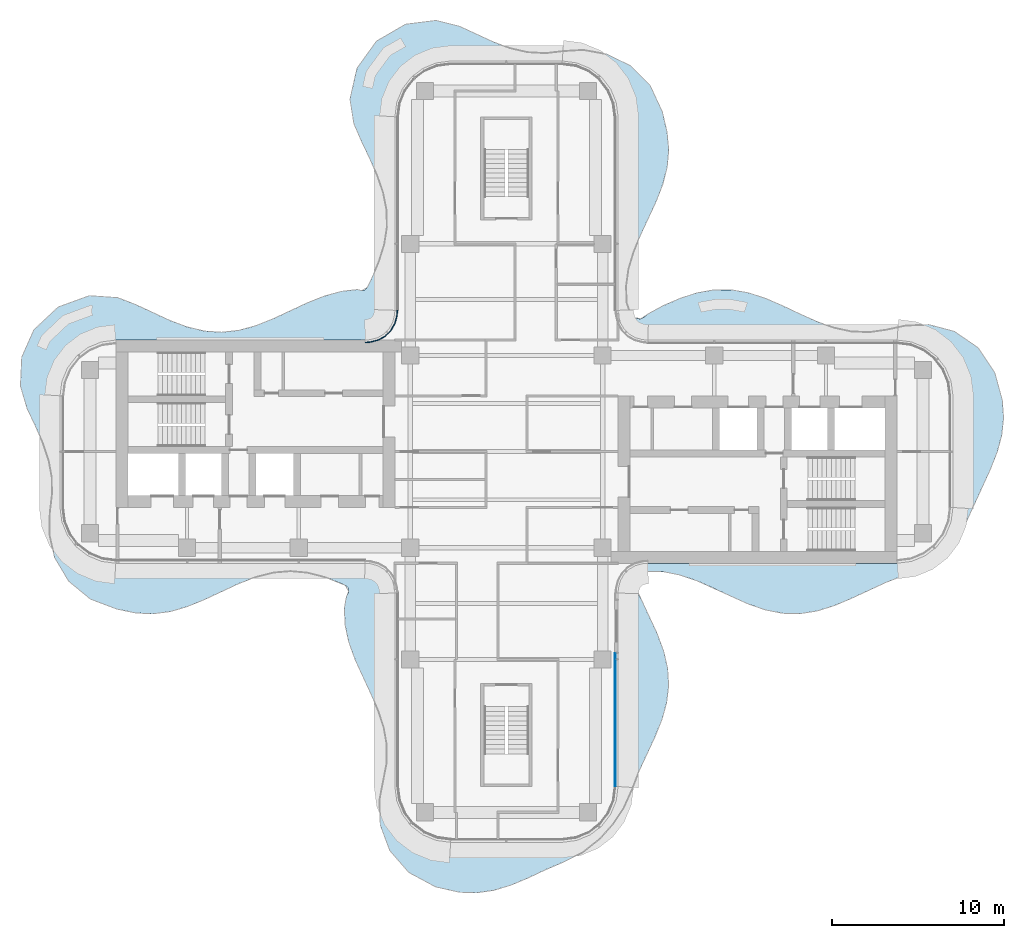
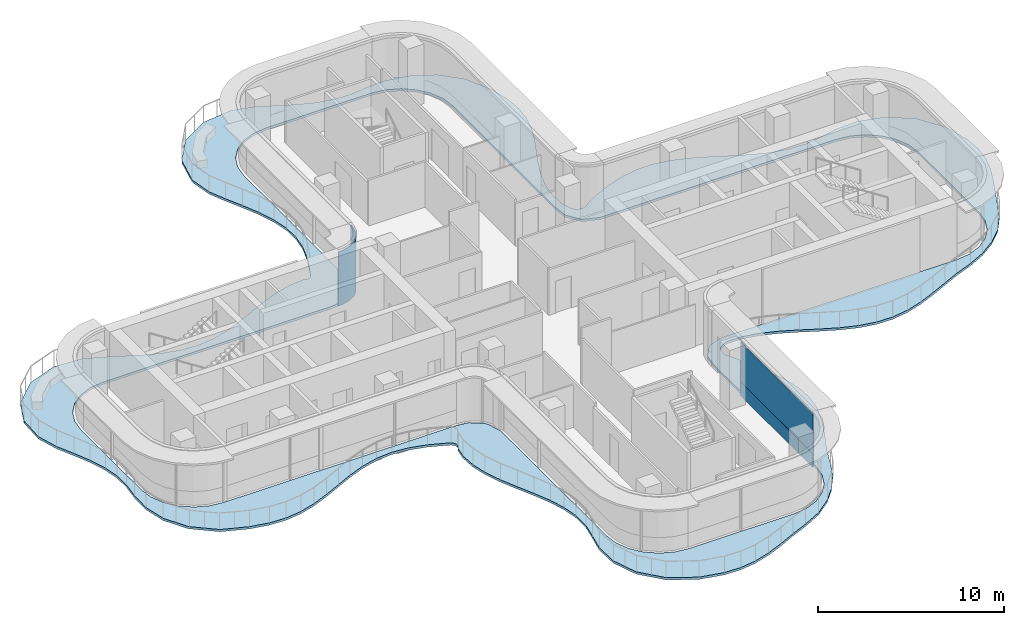
# One storey, part 9 of 17: 3 plates, 1 slab, 2 elements without a shape of their own.
"""IFC4 building model written with IfcOpenShell, lengths in metres."""

from ifc_helpers import new_model, si_unit, direction, frame, origin, place, context, subcontext, project, spatial, polyline, outline, extrude, source, transform, mapped, material, layer, layer_set, type_object, element, aggregate, save


model = new_model("IFC4")

# Units and contexts
model_context = context("Model", 3, precision=1e-05, world=origin(), true_north=direction((0.0, 1.0)))
body_context = subcontext(model_context, "Body", "Model", "MODEL_VIEW")
ifc_project = project(units=[si_unit("LENGTHUNIT", "METRE"), si_unit("AREAUNIT", "SQUARE_METRE"), si_unit("VOLUMEUNIT", "CUBIC_METRE"), si_unit("PLANEANGLEUNIT", "RADIAN"), si_unit("MASSUNIT", "GRAM", prefix="KILO")], contexts=[model_context])

# Site, building, storey
site_placement = place(None, origin())
site = spatial("IfcSite", under=ifc_project, at=site_placement, CompositionType="ELEMENT")
building_placement = place(site_placement, origin())
building = spatial("IfcBuilding", under=site, at=building_placement, Name="Trellis Farm Tower", CompositionType="ELEMENT")
storey_placement = place(building_placement, frame((0.0, 0.0, 283.300048828125)))
storey = spatial("IfcBuildingStorey", under=building, at=storey_placement, Name="L63", CompositionType="ELEMENT", Elevation=283.300048828125)

# Slab
ifc_material_1 = material(Name="Concrete C40/50", Category="concrete")
ifc_layer_1 = layer(ifc_material_1, 0.14990234375)
ifc_layer_set_1 = layer_set([ifc_layer_1], Name="Balcony slab 150")
slab_type = type_object("IfcSlabType", Name="Balcony slab 150", PredefinedType="FLOOR", material=ifc_layer_set_1)
slab_placement = place(storey_placement, frame((0.0, 0.0, -0.150146484375)))
element("IfcSlab", 1, at=slab_placement, inside=storey, type_object=slab_type, Name="Balcony slab", PredefinedType="FLOOR", context=body_context, shape_type="SweptSolid", body=[
    extrude(outline(polyline([(-26.59765625, -3.57177734375), (-26.46875, -2.4794921875), (-26.46826171875, -2.469482421875), (-26.483642578125, -1.474853515625), (-26.48486328125, -1.46240234375), (-26.658935546875, -0.52880859375), (-26.66162109375, -0.518798828125), (-27.0048828125, 0.510498046875), (-27.00732421875, 0.5166015625), (-27.43359375, 1.492431640625), (-27.4345703125, 1.494384765625), (-27.909423828125, 2.49951171875), (-27.91748046875, 2.520263671875), (-28.297119140625, 3.780517578125), (-28.30322265625, 3.829833984375), (-28.237548828125, 5.4462890625), (-28.23388671875, 5.47412109375), (-28.2255859375, 5.509521484375), (-28.216796875, 5.535888671875), (-27.55908203125, 7.034912109375), (-27.54443359375, 7.06103515625), (-27.522216796875, 7.092529296875), (-27.502685546875, 7.115234375), (-26.164794921875, 8.3828125), (-26.140625, 8.401123046875), (-26.107421875, 8.421875), (-26.080078125, 8.435302734375), (-24.361083984375, 9.06884765625), (-24.330810546875, 9.076416015625), (-24.29150390625, 9.082275390625), (-24.259765625, 9.08349609375), (-22.6767578125, 8.977783203125), (-22.6328125, 8.968017578125), (-21.598388671875, 8.56787109375), (-21.58935546875, 8.56396484375), (-19.614990234375, 7.646484375), (-19.60986328125, 7.644287109375), (-18.626953125, 7.2734375), (-18.617919921875, 7.2705078125), (-17.58056640625, 7.022216796875), (-17.568115234375, 7.020263671875), (-16.57958984375, 6.954833984375), (-16.56640625, 6.955078125), (-15.584228515625, 7.06591796875), (-15.57275390625, 7.068115234375), (-14.591796875, 7.337890625), (-14.583984375, 7.34033203125), (-13.60009765625, 7.732666015625), (-13.59619140625, 7.734375), (-11.6083984375, 8.660888671875), (-11.6005859375, 8.6640625), (-10.6083984375, 9.06005859375), (-10.59228515625, 9.0654296875), (-9.6083984375, 9.3349609375), (-9.585693359375, 9.33935546875), (-8.68603515625, 9.440185546875), (-8.625, 9.434326171875), (-8.4453125, 9.378662109375), (-8.405029296875, 9.377685546875), (-8.251220703125, 9.4169921875), (-8.21484375, 9.43896484375), (-8.101806640625, 9.564453125), (-8.089599609375, 9.58251953125), (-7.83935546875, 10.11279296875), (-7.838134765625, 10.11572265625), (-7.429443359375, 11.0869140625), (-7.427001953125, 11.093994140625), (-7.122314453125, 12.0751953125), (-7.119873046875, 12.0859375), (-6.967041015625, 13.067138671875), (-6.966064453125, 13.080322265625), (-6.987060546875, 14.06689453125), (-6.988525390625, 14.07958984375), (-7.18359375, 15.07421875), (-7.186279296875, 15.084228515625), (-7.530517578125, 16.0849609375), (-7.53271484375, 16.0908203125), (-7.9765625, 17.095703125), (-7.977294921875, 17.097412109375), (-8.453369140625, 18.10009765625), (-8.455078125, 18.104248046875), (-8.874755859375, 19.0615234375), (-8.88525390625, 19.096923828125), (-9.112060546875, 20.458984375), (-9.114013671875, 20.48828125), (-9.11279296875, 20.525390625), (-9.109130859375, 20.553955078125), (-8.7041015625, 22.330078125), (-8.6943359375, 22.359130859375), (-8.677734375, 22.395263671875), (-8.662109375, 22.421875), (-7.56689453125, 23.906982421875), (-7.5458984375, 23.93017578125), (-7.515625, 23.956787109375), (-7.490234375, 23.97509765625), (-5.901123046875, 24.87890625), (-5.873779296875, 24.89111328125), (-5.837158203125, 24.903076171875), (-5.80810546875, 24.90966796875), (-4.108642578125, 25.11181640625), (-4.080810546875, 25.112548828125), (-4.044921875, 25.110107421875), (-4.01708984375, 25.10546875), (-2.745361328125, 24.773193359375), (-2.72021484375, 24.764404296875), (-0.763916015625, 23.8583984375), (-0.75830078125, 23.856201171875), (0.224365234375, 23.4951171875), (0.2333984375, 23.492431640625), (1.2138671875, 23.266845703125), (1.2265625, 23.264892578125), (2.271484375, 23.207275390625), (2.284423828125, 23.207763671875), (3.28515625, 23.326171875), (3.293701171875, 23.326904296875), (4.464599609375, 23.398193359375), (4.500732421875, 23.39599609375), (5.84033203125, 23.14892578125), (5.879150390625, 23.13623046875), (7.198486328125, 22.49072265625), (7.238037109375, 22.462646484375), (8.313720703125, 21.3994140625), (8.3310546875, 21.37939453125), (8.3505859375, 21.351318359375), (8.3642578125, 21.327880859375), (9.06640625, 19.81884765625), (9.07666015625, 19.78955078125), (9.348876953125, 18.620361328125), (9.35205078125, 18.6005859375), (9.447265625, 17.59814453125), (9.447509765625, 17.571044921875), (9.363525390625, 16.599609375), (9.359619140625, 16.575439453125), (9.112548828125, 15.60107421875), (9.107177734375, 15.583984375), (8.72998046875, 14.602783203125), (8.725830078125, 14.59326171875), (7.8046875, 12.614013671875), (7.80322265625, 12.611083984375), (7.396240234375, 11.626220703125), (7.3935546875, 11.619140625), (7.101318359375, 10.637939453125), (7.09912109375, 10.626953125), (6.96142578125, 9.6455078125), (6.960693359375, 9.632080078125), (6.99658203125, 8.670654296875), (6.998291015625, 8.658447265625), (7.017822265625, 8.562255859375), (7.02099609375, 8.55078125), (7.218017578125, 8.027587890625), (7.2255859375, 8.0126953125), (7.298095703125, 7.9033203125), (7.322021484375, 7.880615234375), (7.434814453125, 7.813720703125), (7.4501953125, 7.806884765625), (7.63427734375, 7.748291015625), (7.652099609375, 7.744873046875), (7.7919921875, 7.7353515625), (7.82666015625, 7.741455078125), (7.955078125, 7.79833984375), (7.97021484375, 7.80712890625), (8.2529296875, 8.02294921875), (8.27197265625, 8.03515625), (9.11279296875, 8.495361328125), (9.125244140625, 8.50146484375), (10.0966796875, 8.9208984375), (10.109619140625, 8.92578125), (11.08740234375, 9.24609375), (11.108154296875, 9.25146484375), (12.08056640625, 9.42333984375), (12.1064453125, 9.42578125), (13.0791015625, 9.42626953125), (13.105224609375, 9.424072265625), (14.083984375, 9.251708984375), (14.1044921875, 9.246337890625), (15.091796875, 8.922607421875), (15.1044921875, 8.917724609375), (16.099609375, 8.4873046875), (16.104248046875, 8.485107421875), (17.106689453125, 8.009765625), (17.108154296875, 8.0087890625), (18.11328125, 7.560546875), (18.11865234375, 7.55859375), (19.075439453125, 7.21826171875), (19.084716796875, 7.215576171875), (20.065185546875, 7.00390625), (20.078125, 7.00244140625), (21.124267578125, 6.9619140625), (21.1376953125, 6.962646484375), (22.109619140625, 7.099853515625), (22.114990234375, 7.100830078125), (23.214111328125, 7.3408203125), (23.239501953125, 7.34423828125), (24.55615234375, 7.40185546875), (24.6005859375, 7.397216796875), (26.03564453125, 7.023193359375), (26.081787109375, 7.002197265625), (27.41064453125, 6.101806640625), (27.43310546875, 6.083251953125), (27.459716796875, 6.056396484375), (27.47802734375, 6.033935546875), (28.43310546875, 4.598388671875), (28.452880859375, 4.554443359375), (28.8671875, 3.0244140625), (28.8720703125, 2.99658203125), (28.947265625, 1.995849609375), (28.94677734375, 1.969482421875), (28.84716796875, 0.997314453125), (28.843017578125, 0.97412109375), (28.588623046875, 0.01806640625), (28.583251953125, 0.001708984375), (28.190185546875, -1.0), (28.18701171875, -1.007568359375), (26.749755859375, -4.147705078125), (26.737060546875, -4.170166015625), (26.0439453125, -5.1826171875), (26.02392578125, -5.2060546875), (25.198974609375, -5.9990234375), (25.181396484375, -6.013427734375), (24.2685546875, -6.656982421875), (24.24853515625, -6.6689453125), (23.205322265625, -7.1845703125), (23.19287109375, -7.18994140625), (22.092041015625, -7.61474609375), (22.08740234375, -7.61669921875), (20.1064453125, -8.534912109375), (20.101806640625, -8.536865234375), (19.1005859375, -8.961181640625), (19.0869140625, -8.96630859375), (18.1005859375, -9.27490234375), (18.0791015625, -9.27978515625), (17.101318359375, -9.433349609375), (17.074951171875, -9.43505859375), (16.102783203125, -9.41455078125), (16.0771484375, -9.41162109375), (15.1044921875, -9.22119140625), (15.084716796875, -9.216064453125), (14.105712890625, -8.881103515625), (14.093994140625, -8.87646484375), (13.11181640625, -8.4443359375), (13.10791015625, -8.442626953125), (12.11376953125, -7.970703125), (12.112060546875, -7.9697265625), (11.1259765625, -7.5341796875), (11.119873046875, -7.531982421875), (10.091796875, -7.179931640625), (10.08203125, -7.177490234375), (9.148193359375, -6.99267578125), (9.135498046875, -6.9912109375), (8.262939453125, -6.970703125), (8.2421875, -6.97314453125), (8.07958984375, -7.015625), (8.060791015625, -7.0234375), (7.70751953125, -7.22998046875), (7.693603515625, -7.240478515625), (7.595458984375, -7.33447265625), (7.576904296875, -7.36328125), (7.531494140625, -7.4912109375), (7.527587890625, -7.50830078125), (7.495361328125, -7.8125), (7.496337890625, -7.8349609375), (7.53271484375, -8.017578125), (7.54052734375, -8.038818359375), (7.851806640625, -8.609130859375), (7.8564453125, -8.617919921875), (8.77392578125, -10.595703125), (8.778564453125, -10.606689453125), (9.1494140625, -11.607666015625), (9.15478515625, -11.6259765625), (9.382568359375, -12.607421875), (9.385986328125, -12.632080078125), (9.4453125, -13.606201171875), (9.444580078125, -13.633056640625), (9.32958984375, -14.604736328125), (9.324951171875, -14.627685546875), (9.05126953125, -15.603271484375), (9.0458984375, -15.61865234375), (8.650146484375, -16.601806640625), (8.64697265625, -16.609130859375), (7.725341796875, -18.586181640625), (7.723388671875, -18.5908203125), (7.307373046875, -19.669677734375), (7.30419921875, -19.67724609375), (6.822021484375, -20.74755859375), (6.810302734375, -20.76904296875), (6.19140625, -21.697265625), (6.1787109375, -21.714111328125), (5.449951171875, -22.530517578125), (5.431396484375, -22.548095703125), (4.470947265625, -23.31201171875), (4.4453125, -23.328369140625), (3.33056640625, -23.892822265625), (3.322021484375, -23.89697265625), (2.2548828125, -24.35498046875), (2.25244140625, -24.35595703125), (1.248291015625, -24.8291015625), (1.241943359375, -24.831787109375), (0.248291015625, -25.2451171875), (0.23388671875, -25.25048828125), (-0.751708984375, -25.546142578125), (-0.7734375, -25.551025390625), (-1.719970703125, -25.687255859375), (-1.74609375, -25.688720703125), (-2.71728515625, -25.657470703125), (-2.7451171875, -25.654052734375), (-4.095458984375, -25.35302734375), (-4.13330078125, -25.339111328125), (-5.6376953125, -24.53955078125), (-5.66064453125, -24.5244140625), (-5.688720703125, -24.502197265625), (-5.70849609375, -24.483154296875), (-6.790771484375, -23.23681640625), (-6.806884765625, -23.21435546875), (-6.824951171875, -23.18359375), (-6.836669921875, -23.158447265625), (-7.349609375, -21.739990234375), (-7.358642578125, -21.693359375), (-7.400390625, -20.28125), (-7.3974609375, -20.24609375), (-7.15771484375, -19.0947265625), (-7.1572265625, -19.093017578125), (-6.982666015625, -18.13623046875), (-6.9814453125, -18.123291015625), (-6.97509765625, -17.076904296875), (-6.97607421875, -17.063720703125), (-7.147705078125, -16.0830078125), (-7.150146484375, -16.07275390625), (-7.458251953125, -15.121337890625), (-7.460693359375, -15.114990234375), (-7.890869140625, -14.110595703125), (-7.89208984375, -14.108154296875), (-8.36767578125, -13.104248046875), (-8.368896484375, -13.1015625), (-8.81201171875, -12.11669921875), (-8.81640625, -12.106201171875), (-9.177001953125, -11.1044921875), (-9.182373046875, -11.085693359375), (-9.3916015625, -10.134033203125), (-9.39501953125, -10.109375), (-9.443115234375, -9.145263671875), (-9.44091796875, -9.111572265625), (-9.324462890625, -8.45263671875), (-9.303466796875, -8.3984375), (-9.242919921875, -8.302978515625), (-9.234619140625, -8.28466796875), (-9.186279296875, -8.125732421875), (-9.185791015625, -8.084228515625), (-9.228515625, -7.935546875), (-9.250732421875, -7.900390625), (-9.375244140625, -7.79150390625), (-9.393310546875, -7.77978515625), (-9.619140625, -7.67626953125), (-9.623291015625, -7.674560546875), (-10.58642578125, -7.302490234375), (-10.5947265625, -7.2998046875), (-11.57568359375, -7.046630859375), (-11.58740234375, -7.04443359375), (-12.570068359375, -6.953369140625), (-12.583251953125, -6.953369140625), (-13.57275390625, -7.038818359375), (-13.584716796875, -7.041015625), (-14.581787109375, -7.294677734375), (-14.590576171875, -7.29736328125), (-15.5927734375, -7.684326171875), (-15.597412109375, -7.686279296875), (-17.595947265625, -8.61669921875), (-17.6025390625, -8.61962890625), (-18.60400390625, -9.0283203125), (-18.618896484375, -9.033447265625), (-19.577392578125, -9.310791015625), (-19.599853515625, -9.3154296875), (-20.57177734375, -9.44189453125), (-20.598388671875, -9.443115234375), (-21.574462890625, -9.3955078125), (-21.59765625, -9.392578125), (-22.685791015625, -9.16748046875), (-22.7080078125, -9.1611328125), (-24.186279296875, -8.608642578125), (-24.22900390625, -8.583984375), (-25.491943359375, -7.544921875), (-25.510498046875, -7.526611328125), (-25.532958984375, -7.50048828125), (-25.548095703125, -7.479248046875), (-26.302490234375, -6.196044921875), (-26.319580078125, -6.152587890625), (-26.615966796875, -4.82080078125), (-26.619384765625, -4.78564453125), (-26.5986328125, -3.586669921875), (-26.59765625, -3.57177734375)]), holes=[polyline([(-6.82470703125, 7.20947265625), (-6.8583984375, 7.1640625), (-6.89111328125, 7.1318359375), (-7.57177734375, 6.643310546875), (-7.605712890625, 6.625), (-7.6513671875, 6.607666015625), (-7.68896484375, 6.5986328125), (-8.61328125, 6.500732421875), (-8.61767578125, 6.50048828125), (-22.75, 6.50048828125), (-23.59130859375, 6.389892578125), (-24.375244140625, 6.065185546875), (-25.048583984375, 5.548583984375), (-25.565185546875, 4.875244140625), (-25.889892578125, 4.09130859375), (-26.00048828125, 3.25), (-26.00048828125, -3.25), (-25.889892578125, -4.09130859375), (-25.565185546875, -4.875244140625), (-25.048583984375, -5.548583984375), (-24.375244140625, -6.065185546875), (-23.59130859375, -6.389892578125), (-22.75, -6.50048828125), (-8.61767578125, -6.50048828125), (-8.61328125, -6.500732421875), (-7.68896484375, -6.5986328125), (-7.6513671875, -6.607666015625), (-7.605712890625, -6.625), (-7.57177734375, -6.643310546875), (-6.89111328125, -7.1318359375), (-6.8583984375, -7.1640625), (-6.82470703125, -7.20947265625), (-6.802734375, -7.25146484375), (-6.515380859375, -8.11474609375), (-6.5078125, -8.162109375), (-6.50048828125, -18.239013671875), (-6.50048828125, -19.5), (-6.389892578125, -20.34130859375), (-6.065185546875, -21.125244140625), (-5.548583984375, -21.798583984375), (-4.875244140625, -22.315185546875), (-4.09130859375, -22.639892578125), (-3.25, -22.75048828125), (3.25, -22.75048828125), (4.09130859375, -22.639892578125), (4.875244140625, -22.315185546875), (5.548583984375, -21.798583984375), (6.065185546875, -21.125244140625), (6.389892578125, -20.34130859375), (6.50048828125, -19.5), (6.50048828125, -12.636962890625), (6.5009765625, -8.607421875), (6.501953125, -8.59130859375), (6.599365234375, -7.68603515625), (6.6083984375, -7.6484375), (6.6259765625, -7.602783203125), (6.644287109375, -7.568603515625), (7.134521484375, -6.889404296875), (7.166748046875, -6.856689453125), (7.2119140625, -6.822998046875), (7.254150390625, -6.80126953125), (8.117919921875, -6.51513671875), (8.164794921875, -6.507568359375), (20.985107421875, -6.50048828125), (22.75, -6.50048828125), (23.59130859375, -6.389892578125), (24.375244140625, -6.065185546875), (25.048583984375, -5.548583984375), (25.565185546875, -4.875244140625), (25.889892578125, -4.09130859375), (26.00048828125, -3.25), (26.00048828125, 3.25), (25.889892578125, 4.09130859375), (25.565185546875, 4.875244140625), (25.048583984375, 5.548583984375), (24.375244140625, 6.065185546875), (23.59130859375, 6.389892578125), (22.75, 6.50048828125), (20.985107421875, 6.50048828125), (8.164794921875, 6.507568359375), (8.117919921875, 6.51513671875), (7.254150390625, 6.80126953125), (7.2119140625, 6.822998046875), (7.166748046875, 6.856689453125), (7.134521484375, 6.889404296875), (6.644287109375, 7.568603515625), (6.6259765625, 7.602783203125), (6.6083984375, 7.6484375), (6.599365234375, 7.686279296875), (6.500732421875, 8.610107421875), (6.50048828125, 8.614990234375), (6.50048828125, 19.5), (6.389892578125, 20.34130859375), (6.065185546875, 21.125244140625), (5.548583984375, 21.798583984375), (4.875244140625, 22.315185546875), (4.09130859375, 22.639892578125), (3.25, 22.75048828125), (-3.25, 22.75048828125), (-4.09130859375, 22.639892578125), (-4.875244140625, 22.315185546875), (-5.548583984375, 21.798583984375), (-6.065185546875, 21.125244140625), (-6.389892578125, 20.34130859375), (-6.50048828125, 19.5), (-6.50048828125, 17.03369140625), (-6.5078125, 8.162109375), (-6.515380859375, 8.11474609375), (-6.802734375, 7.25146484375), (-6.82470703125, 7.20947265625)])]), origin(), (0.0, 0.0, 1.0), 0.150146484375),
])

# Curtain wall, plate
ifc_material_2 = material(Name="Aluminium and glass curtain wall", Category="aluminium")
ifc_layer_2 = layer(ifc_material_2, 0.166015625)
ifc_layer_set_2 = layer_set([ifc_layer_2], Name="WINTER GARDEN CURTAIN WALL CW3")
curtain_wall_type_1 = type_object("IfcCurtainWallType", Name="WINTER GARDEN CURTAIN WALL CW3", PredefinedType="NOTDEFINED", material=ifc_layer_set_2)
placement = place(storey_placement, origin())
curtain_wall_1 = element("IfcCurtainWall", 2, at=placement, inside=storey, type_object=curtain_wall_type_1, Name="CW3 004", PredefinedType="NOTDEFINED")
ifc_material_3 = material(Name="Clear insulated glass", Category="glass")
ifc_layer_3 = layer(ifc_material_3, 0.0458984375)
ifc_layer_set_3 = layer_set([ifc_layer_3], Name="CW3 GLASS PANEL 46")
plate_type_1 = type_object("IfcPlateType", Name="CW3 GLASS PANEL 46", PredefinedType="CURTAIN_PANEL", material=ifc_layer_set_3)
shared_shape_1 = source(origin(), body_context, "Body", "SweptSolid", [
    extrude(outline(polyline([(-6.3798828125, 8.2275390625), (-6.394287109375, 8.0078125), (-6.40966796875, 7.89208984375), (-6.52490234375, 7.462158203125), (-6.7509765625, 7.070556640625), (-7.070556640625, 6.7509765625), (-7.462158203125, 6.52490234375), (-7.89208984375, 6.40966796875), (-8.0078125, 6.394287109375), (-8.2275390625, 6.3798828125), (-8.22607421875, 6.333984375), (-8.003173828125, 6.3486328125), (-7.883056640625, 6.364501953125), (-7.4443359375, 6.48193359375), (-7.04248046875, 6.714111328125), (-6.714111328125, 7.04248046875), (-6.48193359375, 7.4443359375), (-6.364501953125, 7.883056640625), (-6.3486328125, 8.003173828125), (-6.333984375, 8.22607421875), (-6.3798828125, 8.2275390625)])), origin(), (0.0, 0.0, 1.0), 3.550048828125),
])
plate_1 = element("IfcPlate", 3, at=placement, type_object=plate_type_1, Name="PL3 004", PredefinedType="CURTAIN_PANEL", context=body_context, shape_type="MappedRepresentation", body=[
    mapped(shared_shape_1, transform((0.0, 0.0, 0.0))),
])
aggregate(curtain_wall_1, [plate_1])

# Curtain wall, plates
ifc_layer_4 = layer(ifc_material_2, 0.18994140625)
ifc_layer_set_4 = layer_set([ifc_layer_4], Name="RIBBON CURTAIN WALL CW1")
curtain_wall_type_2 = type_object("IfcCurtainWallType", Name="RIBBON CURTAIN WALL CW1", PredefinedType="NOTDEFINED", material=ifc_layer_set_4)
curtain_wall_2 = element("IfcCurtainWall", 4, at=placement, inside=storey, type_object=curtain_wall_type_2, Name="CW1 004", PredefinedType="NOTDEFINED")
ifc_layer_5 = layer(ifc_material_3, 0.0400390625)
ifc_layer_set_5 = layer_set([ifc_layer_5], Name="CW1 GLASS PANEL 40")
plate_type_2 = type_object("IfcPlateType", Name="CW1 GLASS PANEL 40", PredefinedType="CURTAIN_PANEL", material=ifc_layer_set_5)
shared_shape_2 = source(origin(), body_context, "Body", "SweptSolid", [
    extrude(outline(polyline([(6.35009765625, -19.490234375), (6.35009765625, -11.7255859375), (6.31005859375, -11.7255859375), (6.31005859375, -19.487548828125), (6.35009765625, -19.490234375)])), origin(), (0.0, 0.0, 1.0), 2.6201171875),
])
plate_2_placement = place(storey_placement, frame((0.0, 0.0, 0.89990234375)))
plate_2 = element("IfcPlate", 5, at=plate_2_placement, type_object=plate_type_2, Name="PL1 004", PredefinedType="CURTAIN_PANEL", context=body_context, shape_type="MappedRepresentation", body=[
    mapped(shared_shape_2, transform((0.0, 0.0, 0.0))),
])
ifc_material_4 = material(Name="Sandstone faced insulated panel", Category="masonry")
ifc_layer_6 = layer(ifc_material_4, 0.050048828125)
ifc_layer_set_6 = layer_set([ifc_layer_6], Name="CW1 STONE SPANDREL PANEL 50")
plate_type_3 = type_object("IfcPlateType", Name="CW1 STONE SPANDREL PANEL 50", PredefinedType="CURTAIN_PANEL", material=ifc_layer_set_6)
shared_shape_3 = source(origin(), body_context, "Body", "SweptSolid", [
    extrude(outline(polyline([(6.35009765625, -19.490234375), (6.35009765625, -11.7255859375), (6.300048828125, -11.7255859375), (6.300048828125, -19.48681640625), (6.35009765625, -19.490234375)])), origin(), (0.0, 0.0, 1.0), 0.89990234375),
])
plate_3 = element("IfcPlate", 6, at=placement, type_object=plate_type_3, Name="PS1 004", PredefinedType="CURTAIN_PANEL", context=body_context, shape_type="MappedRepresentation", body=[
    mapped(shared_shape_3, transform((0.0, 0.0, 0.0))),
])
aggregate(curtain_wall_2, [plate_2, plate_3])

save(model, "model.ifc")
